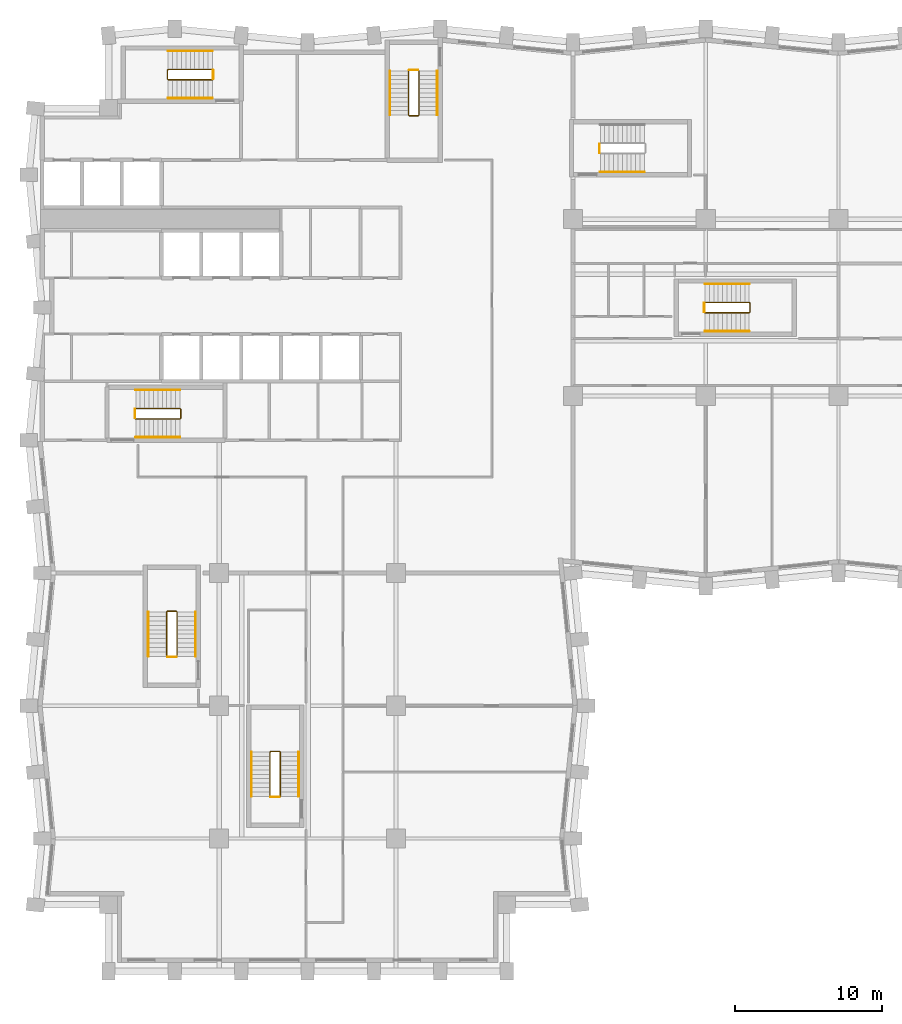
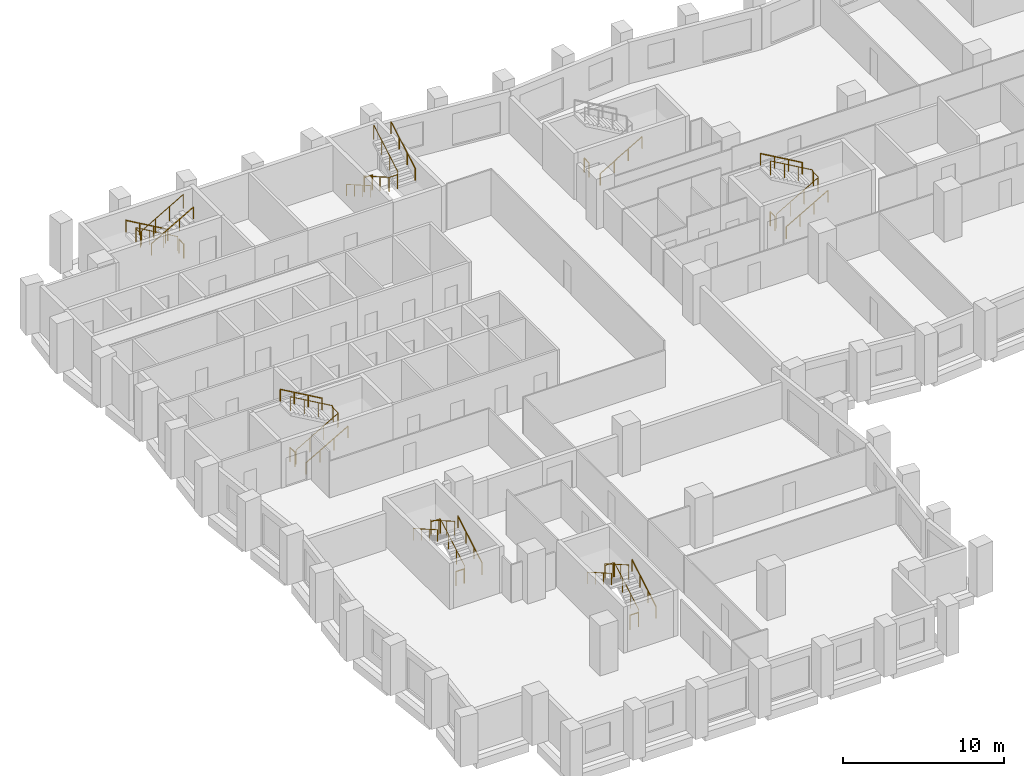
# One storey, part 10 of 11: 26 railings.
"""IFC4 building model written with IfcOpenShell, lengths in metres."""

from ifc_helpers import new_model, si_unit, direction, frame, origin, origin_2d, place, context, subcontext, project, spatial, circle, extrude, material, type_object, element, save


model = new_model("IFC4")

# Units and contexts
model_context = context("Model", 3, precision=1e-05, world=origin(), true_north=direction((0.0, 1.0)))
body_context = subcontext(model_context, "Body", "Model", "MODEL_VIEW")
ifc_project = project(units=[si_unit("LENGTHUNIT", "METRE"), si_unit("AREAUNIT", "SQUARE_METRE"), si_unit("VOLUMEUNIT", "CUBIC_METRE"), si_unit("PLANEANGLEUNIT", "RADIAN"), si_unit("MASSUNIT", "GRAM", prefix="KILO")], contexts=[model_context])

# Site, building, storey
site_placement = place(None, origin())
site = spatial("IfcSite", under=ifc_project, at=site_placement, CompositionType="ELEMENT")
building_placement = place(site_placement, origin())
building = spatial("IfcBuilding", under=site, at=building_placement, Name="Brondeck Convention Tower", CompositionType="ELEMENT")
storey_placement = place(building_placement, frame((0.0, 0.0, 92.300048828125)))
storey = spatial("IfcBuildingStorey", under=building, at=storey_placement, Name="L21", CompositionType="ELEMENT", Elevation=92.300048828125)

# Railings
ifc_material = material(Name="Steel S355", Category="steel")
railing_type_1 = type_object("IfcRailingType", Name="Stair guard 1100", PredefinedType="GUARDRAIL", material=ifc_material)
railing_1_placement = place(storey_placement, frame((6.35009765625, 37.449951171875, 0.172607421875)))
element("IfcRailing", 1, at=railing_1_placement, inside=storey, type_object=railing_type_1, Name="L21 ST-1 stair guard 1", PredefinedType="GUARDRAIL", context=body_context, shape_type="SweptSolid", body=[
    extrude(circle(Radius=0.02392578125, at=origin_2d()), frame((0.0, 0.0, 1.076171875), z_axis=(0.866619684472, 0.0, 0.498969260062), x_axis=(0.0, 1.0, 0.0)), (0.0, 0.0, 1.0), 3.461669921875),
    extrude(circle(Radius=0.02392578125, at=origin_2d()), frame((3.0, 0.0, 2.80322265625), z_axis=(0.705375805398, 0.708833529934, 0.0), x_axis=(-0.708833529934, 0.705375805398, 0.0)), (0.0, 0.0, 1.0), 0.070556640625),
    extrude(circle(Radius=0.02392578125, at=origin_2d()), frame((3.0498046875, 0.050048828125, 2.80322265625), z_axis=(0.0, 1.0, 0.0), x_axis=(-1.0, 0.0, 0.0)), (0.0, 0.0, 1.0), 0.60009765625),
    extrude(circle(Radius=0.02392578125, at=origin_2d()), frame((3.0498046875, 0.650146484375, 2.80322265625), z_axis=(-0.266832911964, 0.266832911964, 0.926067165051), x_axis=(-0.707106781187, -0.707106781187, 0.0)), (0.0, 0.0, 1.0), 0.186767578125),
    extrude(circle(Radius=0.02392578125, at=origin_2d()), frame((3.0, 0.699951171875, 2.97607421875), z_axis=(-0.866619684472, 0.0, 0.498969260062), x_axis=(0.0, -1.0, 0.0)), (0.0, 0.0, 1.0), 3.461669921875),
    extrude(circle(Radius=0.02099609375, at=origin_2d()), origin(), (0.0, 0.0, 1.0), 1.052001953125),
    extrude(circle(Radius=0.02099609375, at=origin_2d()), frame((1.0, 0.0, 0.57568359375)), (0.0, 0.0, 1.0), 1.052001953125),
    extrude(circle(Radius=0.02099609375, at=origin_2d()), frame((2.0, 0.0, 1.151611328125)), (0.0, 0.0, 1.0), 1.052001953125),
    extrude(circle(Radius=0.02099609375, at=origin_2d()), frame((3.0, 0.0, 1.727294921875)), (0.0, 0.0, 1.0), 1.052001953125),
    extrude(circle(Radius=0.02099609375, at=origin_2d()), frame((3.0498046875, 0.050048828125, 1.727294921875)), (0.0, 0.0, 1.0), 1.052001953125),
    extrude(circle(Radius=0.02099609375, at=origin_2d()), frame((3.0498046875, 0.650146484375, 1.727294921875)), (0.0, 0.0, 1.0), 1.052001953125),
    extrude(circle(Radius=0.02099609375, at=origin_2d()), frame((3.0, 0.699951171875, 1.900146484375)), (0.0, 0.0, 1.0), 1.052001953125),
    extrude(circle(Radius=0.02099609375, at=origin_2d()), frame((2.0, 0.699951171875, 2.475830078125)), (0.0, 0.0, 1.0), 1.052001953125),
    extrude(circle(Radius=0.02099609375, at=origin_2d()), frame((1.0, 0.699951171875, 3.0517578125)), (0.0, 0.0, 1.0), 1.052001953125),
    extrude(circle(Radius=0.02099609375, at=origin_2d()), frame((0.0, 0.699951171875, 3.62744140625)), (0.0, 0.0, 1.0), 1.052001953125),
])
railing_2_placement = place(storey_placement, frame((6.300048828125, 37.5, 0.0)))
element("IfcRailing", 2, at=railing_2_placement, inside=storey, type_object=railing_type_1, Name="L21 ST-1 stair guard 2", PredefinedType="GUARDRAIL", context=body_context, shape_type="SweptSolid", body=[
    extrude(circle(Radius=0.02392578125, at=origin_2d()), frame((0.0, 0.0, 1.076171875), z_axis=(0.0, 1.0, 0.0), x_axis=(-1.0, 0.0, 0.0)), (0.0, 0.0, 1.0), 0.60009765625),
    extrude(circle(Radius=0.02099609375, at=origin_2d()), origin(), (0.0, 0.0, 1.0), 1.052001953125),
    extrude(circle(Radius=0.02099609375, at=origin_2d()), frame((0.0, 0.60009765625, 0.0)), (0.0, 0.0, 1.0), 1.052001953125),
])
railing_3_placement = place(storey_placement, frame((24.85009765625, 61.050048828125, 0.172607421875)))
element("IfcRailing", 3, at=railing_3_placement, inside=storey, type_object=railing_type_1, Name="L21 ST-2 stair guard 1", PredefinedType="GUARDRAIL", context=body_context, shape_type="SweptSolid", body=[
    extrude(circle(Radius=0.02392578125, at=origin_2d()), frame((0.0, 0.0, 1.076171875), z_axis=(0.0, -0.866619684472, 0.498969260062), x_axis=(1.0, 0.0, 0.0)), (0.0, 0.0, 1.0), 3.461669921875),
    extrude(circle(Radius=0.02392578125, at=origin_2d()), frame((0.0, -3.0, 2.80322265625), z_axis=(0.705375805398, -0.708833529934, 0.0), x_axis=(0.708833529934, 0.705375805398, 0.0)), (0.0, 0.0, 1.0), 0.070556640625),
    extrude(circle(Radius=0.02392578125, at=origin_2d()), frame((0.0498046875, -3.050048828125, 2.80322265625), z_axis=(1.0, 0.0, 0.0), x_axis=(0.0, 1.0, 0.0)), (0.0, 0.0, 1.0), 0.60009765625),
    extrude(circle(Radius=0.02392578125, at=origin_2d()), frame((0.64990234375, -3.050048828125, 2.80322265625), z_axis=(0.267953482034, 0.267953482034, 0.925419830635), x_axis=(-0.707106781187, 0.707106781187, 0.0)), (0.0, 0.0, 1.0), 0.186767578125),
    extrude(circle(Radius=0.02392578125, at=origin_2d()), frame((0.699951171875, -3.0, 2.97607421875), z_axis=(0.0, 0.866619684472, 0.498969260062), x_axis=(-1.0, 0.0, 0.0)), (0.0, 0.0, 1.0), 3.461669921875),
    extrude(circle(Radius=0.02099609375, at=origin_2d()), origin(), (0.0, 0.0, 1.0), 1.052001953125),
    extrude(circle(Radius=0.02099609375, at=origin_2d()), frame((0.0, -1.0, 0.57568359375)), (0.0, 0.0, 1.0), 1.052001953125),
    extrude(circle(Radius=0.02099609375, at=origin_2d()), frame((0.0, -2.0, 1.151611328125)), (0.0, 0.0, 1.0), 1.052001953125),
    extrude(circle(Radius=0.02099609375, at=origin_2d()), frame((0.0, -3.0, 1.727294921875)), (0.0, 0.0, 1.0), 1.052001953125),
    extrude(circle(Radius=0.02099609375, at=origin_2d()), frame((0.0498046875, -3.050048828125, 1.727294921875)), (0.0, 0.0, 1.0), 1.052001953125),
    extrude(circle(Radius=0.02099609375, at=origin_2d()), frame((0.64990234375, -3.050048828125, 1.727294921875)), (0.0, 0.0, 1.0), 1.052001953125),
    extrude(circle(Radius=0.02099609375, at=origin_2d()), frame((0.699951171875, -3.0, 1.900146484375)), (0.0, 0.0, 1.0), 1.052001953125),
    extrude(circle(Radius=0.02099609375, at=origin_2d()), frame((0.699951171875, -2.0, 2.475830078125)), (0.0, 0.0, 1.0), 1.052001953125),
    extrude(circle(Radius=0.02099609375, at=origin_2d()), frame((0.699951171875, -1.0, 3.0517578125)), (0.0, 0.0, 1.0), 1.052001953125),
    extrude(circle(Radius=0.02099609375, at=origin_2d()), frame((0.699951171875, 0.0, 3.62744140625)), (0.0, 0.0, 1.0), 1.052001953125),
])
railing_4_placement = place(storey_placement, frame((24.89990234375, 61.10009765625, 0.0)))
element("IfcRailing", 4, at=railing_4_placement, inside=storey, type_object=railing_type_1, Name="L21 ST-2 stair guard 2", PredefinedType="GUARDRAIL", context=body_context, shape_type="SweptSolid", body=[
    extrude(circle(Radius=0.02392578125, at=origin_2d()), frame((0.0, 0.0, 1.076171875), z_axis=(1.0, 0.0, 0.0), x_axis=(0.0, 1.0, 0.0)), (0.0, 0.0, 1.0), 0.60009765625),
    extrude(circle(Radius=0.02099609375, at=origin_2d()), origin(), (0.0, 0.0, 1.0), 1.052001953125),
    extrude(circle(Radius=0.02099609375, at=origin_2d()), frame((0.60009765625, 0.0, 0.0)), (0.0, 0.0, 1.0), 1.052001953125),
])
railing_5_placement = place(storey_placement, frame((11.550048828125, 61.14990234375, 0.172607421875)))
element("IfcRailing", 5, at=railing_5_placement, inside=storey, type_object=railing_type_1, Name="L21 ST-3 stair guard 1", PredefinedType="GUARDRAIL", context=body_context, shape_type="SweptSolid", body=[
    extrude(circle(Radius=0.02392578125, at=origin_2d()), frame((0.0, 0.0, 1.076171875), z_axis=(-0.866619684472, 0.0, 0.498969260062), x_axis=(0.0, -1.0, 0.0)), (0.0, 0.0, 1.0), 3.461669921875),
    extrude(circle(Radius=0.02392578125, at=origin_2d()), frame((-3.0, 0.0, 2.80322265625), z_axis=(-0.708833529934, -0.705375805398, 0.0), x_axis=(0.705375805398, -0.708833529934, 0.0)), (0.0, 0.0, 1.0), 0.070556640625),
    extrude(circle(Radius=0.02392578125, at=origin_2d()), frame((-3.050048828125, -0.0498046875, 2.80322265625), z_axis=(0.0, -1.0, 0.0), x_axis=(1.0, 0.0, 0.0)), (0.0, 0.0, 1.0), 0.60009765625),
    extrude(circle(Radius=0.02392578125, at=origin_2d()), frame((-3.050048828125, -0.64990234375, 2.80322265625), z_axis=(0.267953482034, -0.267953482034, 0.925419830635), x_axis=(0.707106781187, 0.707106781187, 0.0)), (0.0, 0.0, 1.0), 0.186767578125),
    extrude(circle(Radius=0.02392578125, at=origin_2d()), frame((-3.0, -0.699951171875, 2.97607421875), z_axis=(0.866619684472, 0.0, 0.498969260062), x_axis=(0.0, 1.0, 0.0)), (0.0, 0.0, 1.0), 3.461669921875),
    extrude(circle(Radius=0.02099609375, at=origin_2d()), origin(), (0.0, 0.0, 1.0), 1.052001953125),
    extrude(circle(Radius=0.02099609375, at=origin_2d()), frame((-1.0, 0.0, 0.57568359375)), (0.0, 0.0, 1.0), 1.052001953125),
    extrude(circle(Radius=0.02099609375, at=origin_2d()), frame((-2.0, 0.0, 1.151611328125)), (0.0, 0.0, 1.0), 1.052001953125),
    extrude(circle(Radius=0.02099609375, at=origin_2d()), frame((-3.0, 0.0, 1.727294921875)), (0.0, 0.0, 1.0), 1.052001953125),
    extrude(circle(Radius=0.02099609375, at=origin_2d()), frame((-3.050048828125, -0.0498046875, 1.727294921875)), (0.0, 0.0, 1.0), 1.052001953125),
    extrude(circle(Radius=0.02099609375, at=origin_2d()), frame((-3.050048828125, -0.64990234375, 1.727294921875)), (0.0, 0.0, 1.0), 1.052001953125),
    extrude(circle(Radius=0.02099609375, at=origin_2d()), frame((-3.0, -0.699951171875, 1.900146484375)), (0.0, 0.0, 1.0), 1.052001953125),
    extrude(circle(Radius=0.02099609375, at=origin_2d()), frame((-2.0, -0.699951171875, 2.475830078125)), (0.0, 0.0, 1.0), 1.052001953125),
    extrude(circle(Radius=0.02099609375, at=origin_2d()), frame((-1.0, -0.699951171875, 3.0517578125)), (0.0, 0.0, 1.0), 1.052001953125),
    extrude(circle(Radius=0.02099609375, at=origin_2d()), frame((0.0, -0.699951171875, 3.62744140625)), (0.0, 0.0, 1.0), 1.052001953125),
])
railing_6_placement = place(storey_placement, frame((11.60009765625, 61.10009765625, 0.0)))
element("IfcRailing", 6, at=railing_6_placement, inside=storey, type_object=railing_type_1, Name="L21 ST-3 stair guard 2", PredefinedType="GUARDRAIL", context=body_context, shape_type="SweptSolid", body=[
    extrude(circle(Radius=0.02392578125, at=origin_2d()), frame((0.0, 0.0, 1.076171875), z_axis=(0.0, -1.0, 0.0), x_axis=(1.0, 0.0, 0.0)), (0.0, 0.0, 1.0), 0.60009765625),
    extrude(circle(Radius=0.02099609375, at=origin_2d()), origin(), (0.0, 0.0, 1.0), 1.052001953125),
    extrude(circle(Radius=0.02099609375, at=origin_2d()), frame((0.0, -0.60009765625, 0.0)), (0.0, 0.0, 1.0), 1.052001953125),
])
railing_7_placement = place(storey_placement, frame((37.800048828125, 55.5, 0.0)))
element("IfcRailing", 7, at=railing_7_placement, inside=storey, type_object=railing_type_1, Name="L21 ST-AE stair guard 2", PredefinedType="GUARDRAIL", context=body_context, shape_type="SweptSolid", body=[
    extrude(circle(Radius=0.02392578125, at=origin_2d()), frame((0.0, 0.0, 1.076171875), z_axis=(0.0, 1.0, 0.0), x_axis=(-1.0, 0.0, 0.0)), (0.0, 0.0, 1.0), 0.60009765625),
    extrude(circle(Radius=0.02099609375, at=origin_2d()), origin(), (0.0, 0.0, 1.0), 1.052001953125),
    extrude(circle(Radius=0.02099609375, at=origin_2d()), frame((0.0, 0.60009765625, 0.0)), (0.0, 0.0, 1.0), 1.052001953125),
])
railing_8_placement = place(storey_placement, frame((9.14990234375, 21.35009765625, 0.172607421875)))
element("IfcRailing", 8, at=railing_8_placement, inside=storey, type_object=railing_type_1, Name="L21 ST-BE stair guard 1", PredefinedType="GUARDRAIL", context=body_context, shape_type="SweptSolid", body=[
    extrude(circle(Radius=0.02392578125, at=origin_2d()), frame((0.0, 0.0, 1.076171875), z_axis=(0.0, 0.866619684472, 0.498969260062), x_axis=(-1.0, 0.0, 0.0)), (0.0, 0.0, 1.0), 3.461669921875),
    extrude(circle(Radius=0.02392578125, at=origin_2d()), frame((0.0, 3.0, 2.80322265625), z_axis=(-0.707106781187, 0.707106781187, 0.0), x_axis=(-0.707106781187, -0.707106781187, 0.0)), (0.0, 0.0, 1.0), 0.0703125),
    extrude(circle(Radius=0.02392578125, at=origin_2d()), frame((-0.0498046875, 3.0498046875, 2.80322265625), z_axis=(-1.0, 0.0, 0.0), x_axis=(0.0, -1.0, 0.0)), (0.0, 0.0, 1.0), 0.60009765625),
    extrude(circle(Radius=0.02392578125, at=origin_2d()), frame((-0.64990234375, 3.0498046875, 2.80322265625), z_axis=(-0.268047150085, -0.266739603011, 0.925743328097), x_axis=(0.705375805398, -0.708833529934, 0.0)), (0.0, 0.0, 1.0), 0.186767578125),
    extrude(circle(Radius=0.02392578125, at=origin_2d()), frame((-0.699951171875, 3.0, 2.97607421875), z_axis=(0.0, -0.866619684472, 0.498969260062), x_axis=(1.0, 0.0, 0.0)), (0.0, 0.0, 1.0), 3.461669921875),
    extrude(circle(Radius=0.02099609375, at=origin_2d()), origin(), (0.0, 0.0, 1.0), 1.052001953125),
    extrude(circle(Radius=0.02099609375, at=origin_2d()), frame((0.0, 1.0, 0.57568359375)), (0.0, 0.0, 1.0), 1.052001953125),
    extrude(circle(Radius=0.02099609375, at=origin_2d()), frame((0.0, 2.0, 1.151611328125)), (0.0, 0.0, 1.0), 1.052001953125),
    extrude(circle(Radius=0.02099609375, at=origin_2d()), frame((0.0, 3.0, 1.727294921875)), (0.0, 0.0, 1.0), 1.052001953125),
    extrude(circle(Radius=0.02099609375, at=origin_2d()), frame((-0.0498046875, 3.0498046875, 1.727294921875)), (0.0, 0.0, 1.0), 1.052001953125),
    extrude(circle(Radius=0.02099609375, at=origin_2d()), frame((-0.64990234375, 3.0498046875, 1.727294921875)), (0.0, 0.0, 1.0), 1.052001953125),
    extrude(circle(Radius=0.02099609375, at=origin_2d()), frame((-0.699951171875, 3.0, 1.900146484375)), (0.0, 0.0, 1.0), 1.052001953125),
    extrude(circle(Radius=0.02099609375, at=origin_2d()), frame((-0.699951171875, 2.0, 2.475830078125)), (0.0, 0.0, 1.0), 1.052001953125),
    extrude(circle(Radius=0.02099609375, at=origin_2d()), frame((-0.699951171875, 1.0, 3.0517578125)), (0.0, 0.0, 1.0), 1.052001953125),
    extrude(circle(Radius=0.02099609375, at=origin_2d()), frame((-0.699951171875, 0.0, 3.62744140625)), (0.0, 0.0, 1.0), 1.052001953125),
])
railing_9_placement = place(storey_placement, frame((9.10009765625, 21.300048828125, 0.0)))
element("IfcRailing", 9, at=railing_9_placement, inside=storey, type_object=railing_type_1, Name="L21 ST-BE stair guard 2", PredefinedType="GUARDRAIL", context=body_context, shape_type="SweptSolid", body=[
    extrude(circle(Radius=0.02392578125, at=origin_2d()), frame((0.0, 0.0, 1.076171875), z_axis=(-1.0, 0.0, 0.0), x_axis=(0.0, -1.0, 0.0)), (0.0, 0.0, 1.0), 0.60009765625),
    extrude(circle(Radius=0.02099609375, at=origin_2d()), origin(), (0.0, 0.0, 1.0), 1.052001953125),
    extrude(circle(Radius=0.02099609375, at=origin_2d()), frame((-0.60009765625, 0.0, 0.0)), (0.0, 0.0, 1.0), 1.052001953125),
])
railing_10_placement = place(storey_placement, frame((44.949951171875, 44.64990234375, 0.172607421875)))
element("IfcRailing", 10, at=railing_10_placement, inside=storey, type_object=railing_type_1, Name="L21 ST-AF stair guard 1", PredefinedType="GUARDRAIL", context=body_context, shape_type="SweptSolid", body=[
    extrude(circle(Radius=0.02392578125, at=origin_2d()), frame((0.0, 0.0, 1.076171875), z_axis=(0.866619684472, 0.0, 0.498969260062), x_axis=(0.0, 1.0, 0.0)), (0.0, 0.0, 1.0), 3.461669921875),
    extrude(circle(Radius=0.02392578125, at=origin_2d()), frame((3.0, 0.0, 2.80322265625), z_axis=(0.707106781187, 0.707106781187, 0.0), x_axis=(-0.707106781187, 0.707106781187, 0.0)), (0.0, 0.0, 1.0), 0.07080078125),
    extrude(circle(Radius=0.02392578125, at=origin_2d()), frame((3.050048828125, 0.050048828125, 2.80322265625), z_axis=(0.0, 1.0, 0.0), x_axis=(-1.0, 0.0, 0.0)), (0.0, 0.0, 1.0), 0.60009765625),
    extrude(circle(Radius=0.02392578125, at=origin_2d()), frame((3.050048828125, 0.650146484375, 2.80322265625), z_axis=(-0.267953482034, 0.267953482034, 0.925419830635), x_axis=(-0.707106781187, -0.707106781187, 0.0)), (0.0, 0.0, 1.0), 0.186767578125),
    extrude(circle(Radius=0.02392578125, at=origin_2d()), frame((3.0, 0.7001953125, 2.97607421875), z_axis=(-0.866619684472, 0.0, 0.498969260062), x_axis=(0.0, -1.0, 0.0)), (0.0, 0.0, 1.0), 3.461669921875),
    extrude(circle(Radius=0.02099609375, at=origin_2d()), origin(), (0.0, 0.0, 1.0), 1.052001953125),
    extrude(circle(Radius=0.02099609375, at=origin_2d()), frame((1.0, 0.0, 0.57568359375)), (0.0, 0.0, 1.0), 1.052001953125),
    extrude(circle(Radius=0.02099609375, at=origin_2d()), frame((2.0, 0.0, 1.151611328125)), (0.0, 0.0, 1.0), 1.052001953125),
    extrude(circle(Radius=0.02099609375, at=origin_2d()), frame((3.0, 0.0, 1.727294921875)), (0.0, 0.0, 1.0), 1.052001953125),
    extrude(circle(Radius=0.02099609375, at=origin_2d()), frame((3.050048828125, 0.050048828125, 1.727294921875)), (0.0, 0.0, 1.0), 1.052001953125),
    extrude(circle(Radius=0.02099609375, at=origin_2d()), frame((3.050048828125, 0.650146484375, 1.727294921875)), (0.0, 0.0, 1.0), 1.052001953125),
    extrude(circle(Radius=0.02099609375, at=origin_2d()), frame((3.0, 0.7001953125, 1.900146484375)), (0.0, 0.0, 1.0), 1.052001953125),
    extrude(circle(Radius=0.02099609375, at=origin_2d()), frame((2.0, 0.7001953125, 2.475830078125)), (0.0, 0.0, 1.0), 1.052001953125),
    extrude(circle(Radius=0.02099609375, at=origin_2d()), frame((1.0, 0.7001953125, 3.0517578125)), (0.0, 0.0, 1.0), 1.052001953125),
    extrude(circle(Radius=0.02099609375, at=origin_2d()), frame((0.0, 0.7001953125, 3.62744140625)), (0.0, 0.0, 1.0), 1.052001953125),
])
railing_11_placement = place(storey_placement, frame((44.89990234375, 44.699951171875, 0.0)))
element("IfcRailing", 11, at=railing_11_placement, inside=storey, type_object=railing_type_1, Name="L21 ST-AF stair guard 2", PredefinedType="GUARDRAIL", context=body_context, shape_type="SweptSolid", body=[
    extrude(circle(Radius=0.02392578125, at=origin_2d()), frame((0.0, 0.0, 1.076171875), z_axis=(0.0, 1.0, 0.0), x_axis=(-1.0, 0.0, 0.0)), (0.0, 0.0, 1.0), 0.60009765625),
    extrude(circle(Radius=0.02099609375, at=origin_2d()), origin(), (0.0, 0.0, 1.0), 1.052001953125),
    extrude(circle(Radius=0.02099609375, at=origin_2d()), frame((0.0, 0.60009765625, 0.0)), (0.0, 0.0, 1.0), 1.052001953125),
])
railing_12_placement = place(storey_placement, frame((16.14990234375, 11.85009765625, 0.172607421875)))
element("IfcRailing", 12, at=railing_12_placement, inside=storey, type_object=railing_type_1, Name="L21 ST-BF stair guard 1", PredefinedType="GUARDRAIL", context=body_context, shape_type="SweptSolid", body=[
    extrude(circle(Radius=0.02392578125, at=origin_2d()), frame((0.0, 0.0, 1.076171875), z_axis=(0.0, 0.866619684472, 0.498969260062), x_axis=(-1.0, 0.0, 0.0)), (0.0, 0.0, 1.0), 3.461669921875),
    extrude(circle(Radius=0.02392578125, at=origin_2d()), frame((0.0, 3.0, 2.80322265625), z_axis=(-0.707106781187, 0.707106781187, 0.0), x_axis=(-0.707106781187, -0.707106781187, 0.0)), (0.0, 0.0, 1.0), 0.0703125),
    extrude(circle(Radius=0.02392578125, at=origin_2d()), frame((-0.0498046875, 3.0498046875, 2.80322265625), z_axis=(-1.0, 0.0, 0.0), x_axis=(0.0, -1.0, 0.0)), (0.0, 0.0, 1.0), 0.60009765625),
    extrude(circle(Radius=0.02392578125, at=origin_2d()), frame((-0.64990234375, 3.0498046875, 2.80322265625), z_axis=(-0.268047150085, -0.266739603011, 0.925743328097), x_axis=(0.705375805398, -0.708833529934, 0.0)), (0.0, 0.0, 1.0), 0.186767578125),
    extrude(circle(Radius=0.02392578125, at=origin_2d()), frame((-0.699951171875, 3.0, 2.97607421875), z_axis=(0.0, -0.866619684472, 0.498969260062), x_axis=(1.0, 0.0, 0.0)), (0.0, 0.0, 1.0), 3.461669921875),
    extrude(circle(Radius=0.02099609375, at=origin_2d()), origin(), (0.0, 0.0, 1.0), 1.052001953125),
    extrude(circle(Radius=0.02099609375, at=origin_2d()), frame((0.0, 1.0, 0.57568359375)), (0.0, 0.0, 1.0), 1.052001953125),
    extrude(circle(Radius=0.02099609375, at=origin_2d()), frame((0.0, 2.0, 1.151611328125)), (0.0, 0.0, 1.0), 1.052001953125),
    extrude(circle(Radius=0.02099609375, at=origin_2d()), frame((0.0, 3.0, 1.727294921875)), (0.0, 0.0, 1.0), 1.052001953125),
    extrude(circle(Radius=0.02099609375, at=origin_2d()), frame((-0.0498046875, 3.0498046875, 1.727294921875)), (0.0, 0.0, 1.0), 1.052001953125),
    extrude(circle(Radius=0.02099609375, at=origin_2d()), frame((-0.64990234375, 3.0498046875, 1.727294921875)), (0.0, 0.0, 1.0), 1.052001953125),
    extrude(circle(Radius=0.02099609375, at=origin_2d()), frame((-0.699951171875, 3.0, 1.900146484375)), (0.0, 0.0, 1.0), 1.052001953125),
    extrude(circle(Radius=0.02099609375, at=origin_2d()), frame((-0.699951171875, 2.0, 2.475830078125)), (0.0, 0.0, 1.0), 1.052001953125),
    extrude(circle(Radius=0.02099609375, at=origin_2d()), frame((-0.699951171875, 1.0, 3.0517578125)), (0.0, 0.0, 1.0), 1.052001953125),
    extrude(circle(Radius=0.02099609375, at=origin_2d()), frame((-0.699951171875, 0.0, 3.62744140625)), (0.0, 0.0, 1.0), 1.052001953125),
])
railing_13_placement = place(storey_placement, frame((16.10009765625, 11.800048828125, 0.0)))
element("IfcRailing", 13, at=railing_13_placement, inside=storey, type_object=railing_type_1, Name="L21 ST-BF stair guard 2", PredefinedType="GUARDRAIL", context=body_context, shape_type="SweptSolid", body=[
    extrude(circle(Radius=0.02392578125, at=origin_2d()), frame((0.0, 0.0, 1.076171875), z_axis=(-1.0, 0.0, 0.0), x_axis=(0.0, -1.0, 0.0)), (0.0, 0.0, 1.0), 0.60009765625),
    extrude(circle(Radius=0.02099609375, at=origin_2d()), origin(), (0.0, 0.0, 1.0), 1.052001953125),
    extrude(circle(Radius=0.02099609375, at=origin_2d()), frame((-0.60009765625, 0.0, 0.0)), (0.0, 0.0, 1.0), 1.052001953125),
])
railing_type_2 = type_object("IfcRailingType", Name="Stair handrail", PredefinedType="HANDRAIL", material=ifc_material)
railing_14_placement = place(storey_placement, frame((6.35009765625, 36.199951171875, 0.172607421875)))
element("IfcRailing", 14, at=railing_14_placement, inside=storey, type_object=railing_type_2, Name="L21 ST-1 stair handrail 1", PredefinedType="HANDRAIL", context=body_context, shape_type="SweptSolid", body=[
    extrude(circle(Radius=0.02392578125, at=origin_2d()), frame((0.0, 0.0, 0.8759765625), z_axis=(0.866619684472, 0.0, 0.498969260062), x_axis=(0.0, 1.0, 0.0)), (0.0, 0.0, 1.0), 3.461669921875),
    extrude(circle(Radius=0.02099609375, at=origin_2d()), origin(), (0.0, 0.0, 1.0), 0.851806640625),
    extrude(circle(Radius=0.02099609375, at=origin_2d()), frame((1.0, 0.0, 0.57568359375)), (0.0, 0.0, 1.0), 0.851806640625),
    extrude(circle(Radius=0.02099609375, at=origin_2d()), frame((2.0, 0.0, 1.151611328125)), (0.0, 0.0, 1.0), 0.851806640625),
    extrude(circle(Radius=0.02099609375, at=origin_2d()), frame((3.0, 0.0, 1.727294921875)), (0.0, 0.0, 1.0), 0.851806640625),
])
railing_15_placement = place(storey_placement, frame((9.35009765625, 39.39990234375, 2.07275390625)))
element("IfcRailing", 15, at=railing_15_placement, inside=storey, type_object=railing_type_2, Name="L21 ST-1 stair handrail 2", PredefinedType="HANDRAIL", context=body_context, shape_type="SweptSolid", body=[
    extrude(circle(Radius=0.02392578125, at=origin_2d()), frame((0.0, 0.0, 0.8759765625), z_axis=(-0.866619684472, 0.0, 0.498969260062), x_axis=(0.0, -1.0, 0.0)), (0.0, 0.0, 1.0), 3.461669921875),
    extrude(circle(Radius=0.02099609375, at=origin_2d()), origin(), (0.0, 0.0, 1.0), 0.851806640625),
    extrude(circle(Radius=0.02099609375, at=origin_2d()), frame((-1.0, 0.0, 0.57568359375)), (0.0, 0.0, 1.0), 0.851806640625),
    extrude(circle(Radius=0.02099609375, at=origin_2d()), frame((-2.0, 0.0, 1.151611328125)), (0.0, 0.0, 1.0), 0.851806640625),
    extrude(circle(Radius=0.02099609375, at=origin_2d()), frame((-3.0, 0.0, 1.727294921875)), (0.0, 0.0, 1.0), 0.851806640625),
])
railing_16_placement = place(storey_placement, frame((23.60009765625, 61.050048828125, 0.172607421875)))
element("IfcRailing", 16, at=railing_16_placement, inside=storey, type_object=railing_type_2, Name="L21 ST-2 stair handrail 1", PredefinedType="HANDRAIL", context=body_context, shape_type="SweptSolid", body=[
    extrude(circle(Radius=0.02392578125, at=origin_2d()), frame((0.0, 0.0, 0.8759765625), z_axis=(0.0, -0.866619684472, 0.498969260062), x_axis=(1.0, 0.0, 0.0)), (0.0, 0.0, 1.0), 3.461669921875),
    extrude(circle(Radius=0.02099609375, at=origin_2d()), origin(), (0.0, 0.0, 1.0), 0.851806640625),
    extrude(circle(Radius=0.02099609375, at=origin_2d()), frame((0.0, -1.0, 0.57568359375)), (0.0, 0.0, 1.0), 0.851806640625),
    extrude(circle(Radius=0.02099609375, at=origin_2d()), frame((0.0, -2.0, 1.151611328125)), (0.0, 0.0, 1.0), 0.851806640625),
    extrude(circle(Radius=0.02099609375, at=origin_2d()), frame((0.0, -3.0, 1.727294921875)), (0.0, 0.0, 1.0), 0.851806640625),
])
railing_17_placement = place(storey_placement, frame((26.800048828125, 58.050048828125, 2.07275390625)))
element("IfcRailing", 17, at=railing_17_placement, inside=storey, type_object=railing_type_2, Name="L21 ST-2 stair handrail 2", PredefinedType="HANDRAIL", context=body_context, shape_type="SweptSolid", body=[
    extrude(circle(Radius=0.02392578125, at=origin_2d()), frame((0.0, 0.0, 0.8759765625), z_axis=(0.0, 0.866619684472, 0.498969260062), x_axis=(-1.0, 0.0, 0.0)), (0.0, 0.0, 1.0), 3.461669921875),
    extrude(circle(Radius=0.02099609375, at=origin_2d()), origin(), (0.0, 0.0, 1.0), 0.851806640625),
    extrude(circle(Radius=0.02099609375, at=origin_2d()), frame((0.0, 1.0, 0.57568359375)), (0.0, 0.0, 1.0), 0.851806640625),
    extrude(circle(Radius=0.02099609375, at=origin_2d()), frame((0.0, 2.0, 1.151611328125)), (0.0, 0.0, 1.0), 0.851806640625),
    extrude(circle(Radius=0.02099609375, at=origin_2d()), frame((0.0, 3.0, 1.727294921875)), (0.0, 0.0, 1.0), 0.851806640625),
])
railing_18_placement = place(storey_placement, frame((11.550048828125, 62.39990234375, 0.172607421875)))
element("IfcRailing", 18, at=railing_18_placement, inside=storey, type_object=railing_type_2, Name="L21 ST-3 stair handrail 1", PredefinedType="HANDRAIL", context=body_context, shape_type="SweptSolid", body=[
    extrude(circle(Radius=0.02392578125, at=origin_2d()), frame((0.0, 0.0, 0.8759765625), z_axis=(-0.866619684472, 0.0, 0.498969260062), x_axis=(0.0, -1.0, 0.0)), (0.0, 0.0, 1.0), 3.461669921875),
    extrude(circle(Radius=0.02099609375, at=origin_2d()), origin(), (0.0, 0.0, 1.0), 0.851806640625),
    extrude(circle(Radius=0.02099609375, at=origin_2d()), frame((-1.0, 0.0, 0.57568359375)), (0.0, 0.0, 1.0), 0.851806640625),
    extrude(circle(Radius=0.02099609375, at=origin_2d()), frame((-2.0, 0.0, 1.151611328125)), (0.0, 0.0, 1.0), 0.851806640625),
    extrude(circle(Radius=0.02099609375, at=origin_2d()), frame((-3.0, 0.0, 1.727294921875)), (0.0, 0.0, 1.0), 0.851806640625),
])
for number, where, name in (
    (19, (8.550048828125, 59.199951171875, 2.07275390625), "L21 ST-3 stair handrail 2"),
    (20, (37.85009765625, 54.199951171875, 0.172607421875), "L21 ST-AE stair handrail 1"),
):
    element("IfcRailing", number, at=place(storey_placement, frame(where)), inside=storey, type_object=railing_type_2, Name=name, PredefinedType="HANDRAIL", context=body_context, shape_type="SweptSolid", body=[
        extrude(circle(Radius=0.02392578125, at=origin_2d()), frame((0.0, 0.0, 0.8759765625), z_axis=(0.866619684472, 0.0, 0.498969260062), x_axis=(0.0, 1.0, 0.0)), (0.0, 0.0, 1.0), 3.461669921875),
        extrude(circle(Radius=0.02099609375, at=origin_2d()), origin(), (0.0, 0.0, 1.0), 0.851806640625),
        extrude(circle(Radius=0.02099609375, at=origin_2d()), frame((1.0, 0.0, 0.57568359375)), (0.0, 0.0, 1.0), 0.851806640625),
        extrude(circle(Radius=0.02099609375, at=origin_2d()), frame((2.0, 0.0, 1.151611328125)), (0.0, 0.0, 1.0), 0.851806640625),
        extrude(circle(Radius=0.02099609375, at=origin_2d()), frame((3.0, 0.0, 1.727294921875)), (0.0, 0.0, 1.0), 0.851806640625),
    ])
railing_19_placement = place(storey_placement, frame((10.39990234375, 21.35009765625, 0.172607421875)))
element("IfcRailing", 21, at=railing_19_placement, inside=storey, type_object=railing_type_2, Name="L21 ST-BE stair handrail 1", PredefinedType="HANDRAIL", context=body_context, shape_type="SweptSolid", body=[
    extrude(circle(Radius=0.02392578125, at=origin_2d()), frame((0.0, 0.0, 0.8759765625), z_axis=(0.0, 0.866619684472, 0.498969260062), x_axis=(-1.0, 0.0, 0.0)), (0.0, 0.0, 1.0), 3.461669921875),
    extrude(circle(Radius=0.02099609375, at=origin_2d()), origin(), (0.0, 0.0, 1.0), 0.851806640625),
    extrude(circle(Radius=0.02099609375, at=origin_2d()), frame((0.0, 1.0, 0.57568359375)), (0.0, 0.0, 1.0), 0.851806640625),
    extrude(circle(Radius=0.02099609375, at=origin_2d()), frame((0.0, 2.0, 1.151611328125)), (0.0, 0.0, 1.0), 0.851806640625),
    extrude(circle(Radius=0.02099609375, at=origin_2d()), frame((0.0, 3.0, 1.727294921875)), (0.0, 0.0, 1.0), 0.851806640625),
])
railing_20_placement = place(storey_placement, frame((7.199951171875, 24.35009765625, 2.07275390625)))
element("IfcRailing", 22, at=railing_20_placement, inside=storey, type_object=railing_type_2, Name="L21 ST-BE stair handrail 2", PredefinedType="HANDRAIL", context=body_context, shape_type="SweptSolid", body=[
    extrude(circle(Radius=0.02392578125, at=origin_2d()), frame((0.0, 0.0, 0.8759765625), z_axis=(0.0, -0.866619684472, 0.498969260062), x_axis=(1.0, 0.0, 0.0)), (0.0, 0.0, 1.0), 3.461669921875),
    extrude(circle(Radius=0.02099609375, at=origin_2d()), origin(), (0.0, 0.0, 1.0), 0.851806640625),
    extrude(circle(Radius=0.02099609375, at=origin_2d()), frame((0.0, -1.0, 0.57568359375)), (0.0, 0.0, 1.0), 0.851806640625),
    extrude(circle(Radius=0.02099609375, at=origin_2d()), frame((0.0, -2.0, 1.151611328125)), (0.0, 0.0, 1.0), 0.851806640625),
    extrude(circle(Radius=0.02099609375, at=origin_2d()), frame((0.0, -3.0, 1.727294921875)), (0.0, 0.0, 1.0), 0.851806640625),
])
railing_21_placement = place(storey_placement, frame((44.949951171875, 43.39990234375, 0.172607421875)))
element("IfcRailing", 23, at=railing_21_placement, inside=storey, type_object=railing_type_2, Name="L21 ST-AF stair handrail 1", PredefinedType="HANDRAIL", context=body_context, shape_type="SweptSolid", body=[
    extrude(circle(Radius=0.02392578125, at=origin_2d()), frame((0.0, 0.0, 0.8759765625), z_axis=(0.866619684472, 0.0, 0.498969260062), x_axis=(0.0, 1.0, 0.0)), (0.0, 0.0, 1.0), 3.461669921875),
    extrude(circle(Radius=0.02099609375, at=origin_2d()), origin(), (0.0, 0.0, 1.0), 0.851806640625),
    extrude(circle(Radius=0.02099609375, at=origin_2d()), frame((1.0, 0.0, 0.57568359375)), (0.0, 0.0, 1.0), 0.851806640625),
    extrude(circle(Radius=0.02099609375, at=origin_2d()), frame((2.0, 0.0, 1.151611328125)), (0.0, 0.0, 1.0), 0.851806640625),
    extrude(circle(Radius=0.02099609375, at=origin_2d()), frame((3.0, 0.0, 1.727294921875)), (0.0, 0.0, 1.0), 0.851806640625),
])
railing_22_placement = place(storey_placement, frame((47.949951171875, 46.60009765625, 2.07275390625)))
element("IfcRailing", 24, at=railing_22_placement, inside=storey, type_object=railing_type_2, Name="L21 ST-AF stair handrail 2", PredefinedType="HANDRAIL", context=body_context, shape_type="SweptSolid", body=[
    extrude(circle(Radius=0.02392578125, at=origin_2d()), frame((0.0, 0.0, 0.8759765625), z_axis=(-0.866619684472, 0.0, 0.498969260062), x_axis=(0.0, -1.0, 0.0)), (0.0, 0.0, 1.0), 3.461669921875),
    extrude(circle(Radius=0.02099609375, at=origin_2d()), origin(), (0.0, 0.0, 1.0), 0.851806640625),
    extrude(circle(Radius=0.02099609375, at=origin_2d()), frame((-1.0, 0.0, 0.57568359375)), (0.0, 0.0, 1.0), 0.851806640625),
    extrude(circle(Radius=0.02099609375, at=origin_2d()), frame((-2.0, 0.0, 1.151611328125)), (0.0, 0.0, 1.0), 0.851806640625),
    extrude(circle(Radius=0.02099609375, at=origin_2d()), frame((-3.0, 0.0, 1.727294921875)), (0.0, 0.0, 1.0), 0.851806640625),
])
railing_23_placement = place(storey_placement, frame((17.39990234375, 11.85009765625, 0.172607421875)))
element("IfcRailing", 25, at=railing_23_placement, inside=storey, type_object=railing_type_2, Name="L21 ST-BF stair handrail 1", PredefinedType="HANDRAIL", context=body_context, shape_type="SweptSolid", body=[
    extrude(circle(Radius=0.02392578125, at=origin_2d()), frame((0.0, 0.0, 0.8759765625), z_axis=(0.0, 0.866619684472, 0.498969260062), x_axis=(-1.0, 0.0, 0.0)), (0.0, 0.0, 1.0), 3.461669921875),
    extrude(circle(Radius=0.02099609375, at=origin_2d()), origin(), (0.0, 0.0, 1.0), 0.851806640625),
    extrude(circle(Radius=0.02099609375, at=origin_2d()), frame((0.0, 1.0, 0.57568359375)), (0.0, 0.0, 1.0), 0.851806640625),
    extrude(circle(Radius=0.02099609375, at=origin_2d()), frame((0.0, 2.0, 1.151611328125)), (0.0, 0.0, 1.0), 0.851806640625),
    extrude(circle(Radius=0.02099609375, at=origin_2d()), frame((0.0, 3.0, 1.727294921875)), (0.0, 0.0, 1.0), 0.851806640625),
])
railing_24_placement = place(storey_placement, frame((14.199951171875, 14.85009765625, 2.07275390625)))
element("IfcRailing", 26, at=railing_24_placement, inside=storey, type_object=railing_type_2, Name="L21 ST-BF stair handrail 2", PredefinedType="HANDRAIL", context=body_context, shape_type="SweptSolid", body=[
    extrude(circle(Radius=0.02392578125, at=origin_2d()), frame((0.0, 0.0, 0.8759765625), z_axis=(0.0, -0.866619684472, 0.498969260062), x_axis=(1.0, 0.0, 0.0)), (0.0, 0.0, 1.0), 3.461669921875),
    extrude(circle(Radius=0.02099609375, at=origin_2d()), origin(), (0.0, 0.0, 1.0), 0.851806640625),
    extrude(circle(Radius=0.02099609375, at=origin_2d()), frame((0.0, -1.0, 0.57568359375)), (0.0, 0.0, 1.0), 0.851806640625),
    extrude(circle(Radius=0.02099609375, at=origin_2d()), frame((0.0, -2.0, 1.151611328125)), (0.0, 0.0, 1.0), 0.851806640625),
    extrude(circle(Radius=0.02099609375, at=origin_2d()), frame((0.0, -3.0, 1.727294921875)), (0.0, 0.0, 1.0), 0.851806640625),
])

save(model, "model.ifc")
